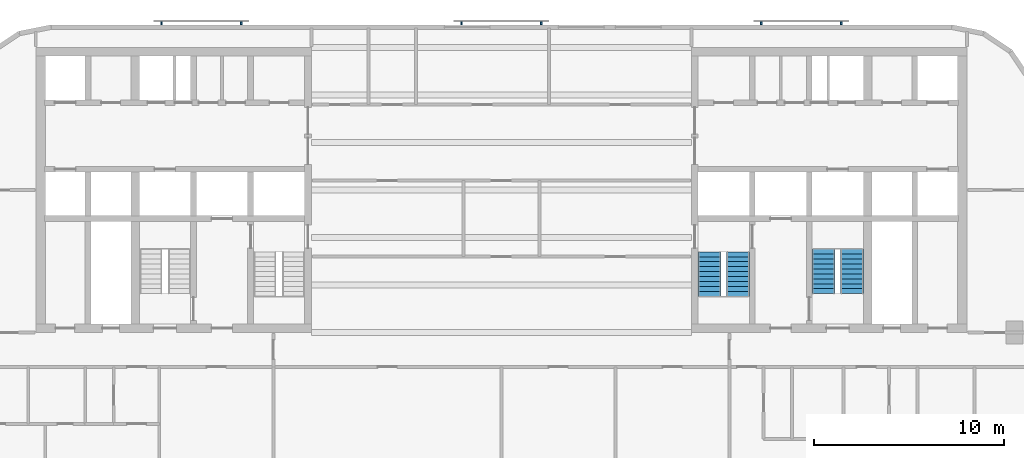
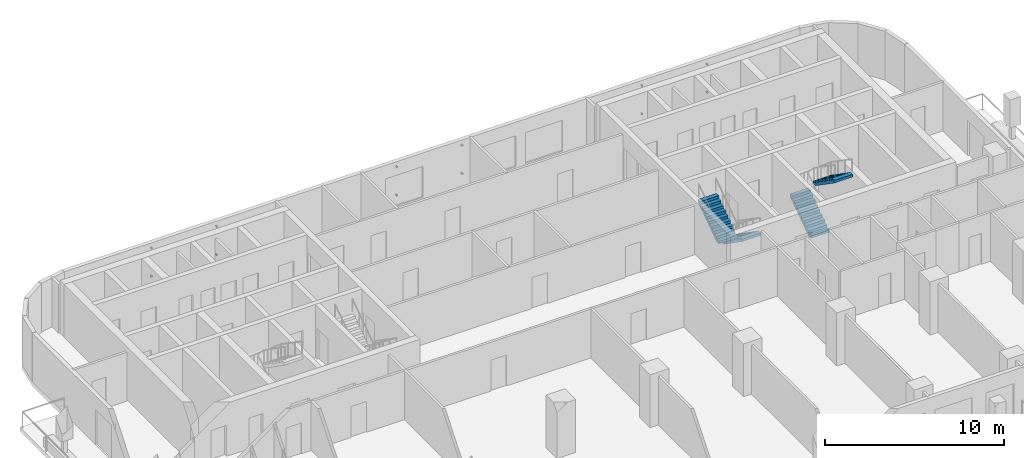
# One storey, part 8 of 11: 12 discrete accessories, 4 stair flights, 2 elements without a shape of their own.
"""IFC4 building model written with IfcOpenShell, lengths in metres."""

import ifcopenshell
import ifcopenshell.guid

model = None  # the IFC model being written
_history = None  # IfcOwnerHistory: only IFC2X3 demands one
_inside = {}  # id of a spatial element -> (the spatial element, [elements in it])
_under = {}  # id of a project, library or spatial element -> (it, [spatial elements below it])
_declared = {}  # id of a project -> (the project, [libraries it declares])
_typed = {}  # id of a type object -> (the type object, [elements of that type])
_made_of = {}  # id of a material, layer set ... -> (it, [elements and type objects made of it])


def new_model(schema):
    """Start an empty IFC model of exactly this schema.

    Asked for "IFC4X3", IfcOpenShell would pick the latest addendum, in which some entities
    have other attributes; the version numbers below select the first issue.
    IFC2X3 requires an IfcOwnerHistory on every rooted entity: one is made here for all.
    """
    global model, _history
    if schema == "IFC4X3":
        model = ifcopenshell.file(schema_version=(4, 3, 0, 0))
    else:
        model = ifcopenshell.file(schema=schema)
    _inside.clear()
    _under.clear()
    _declared.clear()
    _typed.clear()
    _made_of.clear()
    _history = None
    if model.schema == "IFC2X3":
        org = make("IfcOrganization", Name="unknown")
        user = make(
            "IfcPersonAndOrganization",
            ThePerson=make("IfcPerson", FamilyName="unknown"),
            TheOrganization=org,
        )
        app = make(
            "IfcApplication",
            ApplicationDeveloper=org,
            Version="unknown",
            ApplicationFullName="unknown",
            ApplicationIdentifier="unknown",
        )
        _history = make(
            "IfcOwnerHistory",
            OwningUser=user,
            OwningApplication=app,
            ChangeAction="ADDED",
            CreationDate=0,
        )
    return model


def make(cls, **values):
    """One entity of the class cls with the attributes given. An attribute that is None is left unset."""
    return model.create_entity(
        cls, **{name: value for name, value in values.items() if value is not None}
    )


def rooted(cls, **values):
    """An entity with a GlobalId (a new one), such as an element, a storey or a relation."""
    return make(cls, GlobalId=ifcopenshell.guid.new(), OwnerHistory=_history, **values)


def si_unit(unit_type, name, prefix=None):
    """IfcSIUnit, for example si_unit("LENGTHUNIT", "METRE", prefix="MILLI")."""
    return make("IfcSIUnit", UnitType=unit_type, Prefix=prefix, Name=name)


def assignment(units):
    """IfcUnitAssignment: the units of a project."""
    return None if units is None else make("IfcUnitAssignment", Units=units)


def point(xyz):
    """IfcCartesianPoint."""
    return None if xyz is None else make("IfcCartesianPoint", Coordinates=xyz)


def direction(xyz):
    """IfcDirection."""
    return None if xyz is None else make("IfcDirection", DirectionRatios=xyz)


def frame(location, z_axis=None, x_axis=None):
    """IfcAxis2Placement3D, a coordinate frame: its origin and axes. An axis left out is left unset."""
    return make(
        "IfcAxis2Placement3D",
        Location=point(location),
        Axis=direction(z_axis),
        RefDirection=direction(x_axis),
    )


def frame_2d(location, x_axis=None):
    """IfcAxis2Placement2D, a coordinate frame in the plane: its origin and x axis."""
    return make(
        "IfcAxis2Placement2D", Location=point(location), RefDirection=direction(x_axis)
    )


def origin():
    """The frame at (0, 0, 0) with its axes left unset."""
    return frame((0.0, 0.0, 0.0))


def origin_2d():
    """The frame at (0, 0) in the plane with its x axis left unset."""
    return frame_2d((0.0, 0.0))


def place(relative_to, where):
    """IfcLocalPlacement: puts the frame where relative to a parent placement (None: the world)."""
    return make(
        "IfcLocalPlacement", PlacementRelTo=relative_to, RelativePlacement=where
    )


def context(
    kind, dimensions, precision=None, world=None, true_north=None, identifier=None
):
    """IfcGeometricRepresentationContext, for example the 3D "Model" context."""
    return make(
        "IfcGeometricRepresentationContext",
        ContextIdentifier=identifier,
        ContextType=kind,
        CoordinateSpaceDimension=dimensions,
        Precision=precision,
        WorldCoordinateSystem=world,
        TrueNorth=true_north,
    )


def subcontext(parent, identifier, kind, view, scale=None):
    """IfcGeometricRepresentationSubContext, for example "Body" below "Model"."""
    return make(
        "IfcGeometricRepresentationSubContext",
        ContextIdentifier=identifier,
        ContextType=kind,
        ParentContext=parent,
        TargetScale=scale,
        TargetView=view,
    )


def project(units=None, contexts=None):
    """IfcProject with its units and contexts."""
    return rooted(
        "IfcProject",
        Name="project",
        RepresentationContexts=contexts,
        UnitsInContext=assignment(units),
    )


def spatial(cls, under=None, at=None, **own):
    """A site, building, storey or space (cls), placed at a placement, below another one or the project."""
    s = rooted(cls, ObjectPlacement=at, **own)
    if under is not None:
        _under.setdefault(under.id(), (under, []))[1].append(s)
    return s


def polyline(points):
    """IfcPolyline through the points."""
    return make("IfcPolyline", Points=[point(p) for p in points])


def profile(cls, at=None, kind="AREA", **sizes):
    """A parametric profile (cls). Its sizes go by their IFC names, for example OverallWidth=200.0."""
    return make(cls, ProfileType=kind, Position=at, **sizes)


def rectangle(**sizes):
    """IfcRectangleProfileDef."""
    return profile("IfcRectangleProfileDef", **sizes)


def outline(outer, holes=None, kind="AREA"):
    """IfcArbitraryClosedProfileDef: a profile drawn as a closed curve; with holes, ...WithVoids."""
    if holes is None:
        return make("IfcArbitraryClosedProfileDef", ProfileType=kind, OuterCurve=outer)
    return make(
        "IfcArbitraryProfileDefWithVoids",
        ProfileType=kind,
        OuterCurve=outer,
        InnerCurves=holes,
    )


def extrude(swept, where, along, depth):
    """IfcExtrudedAreaSolid: the profile swept, set in the frame where, extruded along a direction by depth."""
    return make(
        "IfcExtrudedAreaSolid",
        SweptArea=swept,
        Position=where,
        ExtrudedDirection=direction(along),
        Depth=depth,
    )


def shape(context_of_items, identifier, shape_type, items):
    """IfcShapeRepresentation: the items that make up one representation, for example the "Body"."""
    return make(
        "IfcShapeRepresentation",
        ContextOfItems=context_of_items,
        RepresentationIdentifier=identifier,
        RepresentationType=shape_type,
        Items=items,
    )


def material(Name=None, Category=None):
    """IfcMaterial."""
    return make("IfcMaterial", Name=Name, Category=Category)


def made_of(thing, what):
    """Note that an element or type object is made of a material, layer set ...; save() writes the relation."""
    if what is not None:
        _made_of.setdefault(what.id(), (what, []))[1].append(thing)
    return thing


def type_object(cls, material=None, **own):
    """A type object (cls), such as IfcWallType, which elements share."""
    return made_of(rooted(cls, **own), material)


def element(
    cls,
    number,
    at=None,
    inside=None,
    cuts=None,
    type_object=None,
    material=None,
    context=None,
    identifier="Body",
    shape_type=None,
    held_by="IfcProductDefinitionShape",
    body=None,
    shapes=None,
    **own,
):
    """One element of the class cls, such as IfcWall. Its Tag is "e" and its number.

    at: its placement. inside: the storey or other place that contains it. cuts: it is an
    opening in that element (IfcRelVoidsElement). A single representation is given by context,
    identifier, shape_type and body (its items); several are given by shapes. held_by: the class
    of the entity that holds the representations. save() writes the other relations.
    """
    e = rooted(cls, Tag="e%d" % number, ObjectPlacement=at, **own)
    if body is not None:
        shapes = [shape(context, identifier, shape_type, body)]
    if shapes is not None:
        e.Representation = make(held_by, Representations=shapes)
    if inside is not None:
        _inside.setdefault(inside.id(), (inside, []))[1].append(e)
    if cuts is not None:
        rooted(
            "IfcRelVoidsElement", RelatingBuildingElement=cuts, RelatedOpeningElement=e
        )
    if type_object is not None:
        _typed.setdefault(type_object.id(), (type_object, []))[1].append(e)
    return made_of(e, material)


def aggregate(whole, parts):
    """IfcRelAggregates: a whole, such as a stair, and the parts it consists of."""
    return rooted("IfcRelAggregates", RelatingObject=whole, RelatedObjects=parts)


def save(model, path):
    """Write the relations noted so far, then the file.

    IfcRelAggregates (storeys below a building ...), IfcRelContainedInSpatialStructure (elements
    in a storey), IfcRelDefinesByType, IfcRelAssociatesMaterial and IfcRelDeclares: one each for
    every whole, place, type object, material and project.
    """
    for whole, parts in _under.values():
        aggregate(whole, parts)
    for where, things in _inside.values():
        rooted(
            "IfcRelContainedInSpatialStructure",
            RelatedElements=things,
            RelatingStructure=where,
        )
    for kind, things in _typed.values():
        rooted("IfcRelDefinesByType", RelatedObjects=things, RelatingType=kind)
    for what, things in _made_of.values():
        rooted("IfcRelAssociatesMaterial", RelatedObjects=things, RelatingMaterial=what)
    for by, libraries in _declared.values():
        rooted("IfcRelDeclares", RelatingContext=by, RelatedDefinitions=libraries)
    model.write(path)


model = new_model("IFC4")

# Units and contexts
model_context = context("Model", 3, precision=1e-05, world=origin(), true_north=direction((0.0, 1.0)))
body_context = subcontext(model_context, "Body", "Model", "MODEL_VIEW")
ifc_project = project(units=[si_unit("LENGTHUNIT", "METRE"), si_unit("AREAUNIT", "SQUARE_METRE"), si_unit("VOLUMEUNIT", "CUBIC_METRE"), si_unit("PLANEANGLEUNIT", "RADIAN"), si_unit("MASSUNIT", "GRAM", prefix="KILO")], contexts=[model_context])

# Site, building, storey
site_placement = place(None, origin())
site = spatial("IfcSite", under=ifc_project, at=site_placement, CompositionType="ELEMENT")
building_placement = place(site_placement, origin())
building = spatial("IfcBuilding", under=site, at=building_placement, Name="Torana Hotel and Residences", CompositionType="ELEMENT")
storey_placement = place(building_placement, frame((0.0, 0.0, 120.0)))
storey = spatial("IfcBuildingStorey", under=building, at=storey_placement, Name="L30", CompositionType="ELEMENT", Elevation=120.0)

# Stair, stair flights
ifc_material_1 = material(Name="Concrete C40/50 precast", Category="concrete")
stair_type_1 = type_object("IfcStairType", Name="STAIR ST3 HALF TURN 1200", PredefinedType="HALF_TURN_STAIR", material=ifc_material_1)
stair_1_placement = place(storey_placement, origin())
stair_1 = element("IfcStair", 1, at=stair_1_placement, inside=storey, type_object=stair_type_1, Name="Stair ST3 L30", PredefinedType="HALF_TURN_STAIR")
ifc_material_2 = material(Name="Concrete C40/50 precast", Category="concrete")
stair_flight_type = type_object("IfcStairFlightType", Name="STAIR FLIGHT 1200 PRECAST", PredefinedType="STRAIGHT", material=ifc_material_2)
stair_flight_1_placement = place(storey_placement, frame((12.449951171875, -10.75, 0.0), z_axis=(0.0, 0.0, 1.0), x_axis=(0.0, -1.0, 0.0)))
stair_flight_1 = element("IfcStairFlight", 2, at=stair_flight_1_placement, type_object=stair_flight_type, Name="ST3 flight 1", NumberOfRisers=10, NumberOfTreads=9, PredefinedType="STRAIGHT", RiserHeight=0.18, TreadLength=0.26, context=body_context, shape_type="SweptSolid", body=[
    extrude(outline(polyline([(0.0, 0.0), (0.0, 0.179931640625), (0.260009765625, 0.179931640625), (0.260009765625, 0.360107421875), (0.52001953125, 0.360107421875), (0.52001953125, 0.5400390625), (0.780029296875, 0.5400390625), (0.780029296875, 0.719970703125), (1.0400390625, 0.719970703125), (1.0400390625, 0.89990234375), (1.300048828125, 0.89990234375), (1.300048828125, 1.080078125), (1.56005859375, 1.080078125), (1.56005859375, 1.260009765625), (1.820068359375, 1.260009765625), (1.820068359375, 1.43994140625), (2.080078125, 1.43994140625), (2.080078125, 1.6201171875), (2.340087890625, 1.6201171875), (2.340087890625, 1.800048828125), (2.340087890625, 1.437744140625), (0.263427734375, 0.0), (0.0, 0.0)])), frame((0.0, 0.60009765625, 0.0), z_axis=(0.0, -1.0, 0.0), x_axis=(1.0, 0.0, 0.0)), (0.0, 0.0, 1.0), 1.199951171875),
])
stair_flight_2_placement = place(storey_placement, frame((10.949951171875, -13.090087890625, 1.800048828125), z_axis=(0.0, 0.0, 1.0), x_axis=(0.0, 1.0, 0.0)))
stair_flight_2 = element("IfcStairFlight", 3, at=stair_flight_2_placement, type_object=stair_flight_type, Name="ST3 flight 2", NumberOfRisers=10, NumberOfTreads=9, PredefinedType="STRAIGHT", RiserHeight=0.18, TreadLength=0.26, context=body_context, shape_type="SweptSolid", body=[
    extrude(outline(polyline([(0.0, 0.0), (0.0, 0.179931640625), (0.260009765625, 0.179931640625), (0.260009765625, 0.360107421875), (0.52001953125, 0.360107421875), (0.52001953125, 0.5400390625), (0.780029296875, 0.5400390625), (0.780029296875, 0.719970703125), (1.0400390625, 0.719970703125), (1.0400390625, 0.89990234375), (1.300048828125, 0.89990234375), (1.300048828125, 1.080078125), (1.56005859375, 1.080078125), (1.56005859375, 1.260009765625), (1.820068359375, 1.260009765625), (1.820068359375, 1.43994140625), (2.080078125, 1.43994140625), (2.080078125, 1.6201171875), (2.340087890625, 1.6201171875), (2.340087890625, 1.800048828125), (2.340087890625, 1.437744140625), (0.263427734375, 0.0), (0.0, 0.0)])), frame((0.0, 0.60009765625, 0.0), z_axis=(0.0, -1.0, 0.0), x_axis=(1.0, 0.0, 0.0)), (0.0, 0.0, 1.0), 1.199951171875),
])
aggregate(stair_1, [stair_flight_1, stair_flight_2])

ifc_material_3 = material(Name="Concrete C40/50 precast", Category="concrete")
stair_type_2 = type_object("IfcStairType", Name="STAIR ST4 HALF TURN 1200", PredefinedType="HALF_TURN_STAIR", material=ifc_material_3)
stair_2_placement = place(storey_placement, origin())
stair_2 = element("IfcStair", 4, at=stair_2_placement, inside=storey, type_object=stair_type_2, Name="Stair ST4 L30", PredefinedType="HALF_TURN_STAIR")
stair_flight_3_placement = place(storey_placement, frame((16.949951171875, -12.949951171875, 0.0), z_axis=(0.0, 0.0, 1.0), x_axis=(0.0, 1.0, 0.0)))
stair_flight_3 = element("IfcStairFlight", 5, at=stair_flight_3_placement, type_object=stair_flight_type, Name="ST4 flight 1", NumberOfRisers=10, NumberOfTreads=9, PredefinedType="STRAIGHT", RiserHeight=0.18, TreadLength=0.26, context=body_context, shape_type="SweptSolid", body=[
    extrude(outline(polyline([(0.0, 0.0), (0.0, 0.179931640625), (0.260009765625, 0.179931640625), (0.260009765625, 0.360107421875), (0.52001953125, 0.360107421875), (0.52001953125, 0.5400390625), (0.780029296875, 0.5400390625), (0.780029296875, 0.719970703125), (1.0400390625, 0.719970703125), (1.0400390625, 0.89990234375), (1.300048828125, 0.89990234375), (1.300048828125, 1.080078125), (1.56005859375, 1.080078125), (1.56005859375, 1.260009765625), (1.820068359375, 1.260009765625), (1.820068359375, 1.43994140625), (2.080078125, 1.43994140625), (2.080078125, 1.6201171875), (2.340087890625, 1.6201171875), (2.340087890625, 1.800048828125), (2.340087890625, 1.437744140625), (0.263427734375, 0.0), (0.0, 0.0)])), frame((0.0, 0.60009765625, 0.0), z_axis=(0.0, -1.0, 0.0), x_axis=(1.0, 0.0, 0.0)), (0.0, 0.0, 1.0), 1.199951171875),
])
stair_flight_4_placement = place(storey_placement, frame((18.449951171875, -10.610107421875, 1.800048828125), z_axis=(0.0, 0.0, 1.0), x_axis=(0.0, -1.0, 0.0)))
stair_flight_4 = element("IfcStairFlight", 6, at=stair_flight_4_placement, type_object=stair_flight_type, Name="ST4 flight 2", NumberOfRisers=10, NumberOfTreads=9, PredefinedType="STRAIGHT", RiserHeight=0.18, TreadLength=0.26, context=body_context, shape_type="SweptSolid", body=[
    extrude(outline(polyline([(0.0, 0.0), (0.0, 0.179931640625), (0.260009765625, 0.179931640625), (0.260009765625, 0.360107421875), (0.52001953125, 0.360107421875), (0.52001953125, 0.5400390625), (0.780029296875, 0.5400390625), (0.780029296875, 0.719970703125), (1.0400390625, 0.719970703125), (1.0400390625, 0.89990234375), (1.300048828125, 0.89990234375), (1.300048828125, 1.080078125), (1.56005859375, 1.080078125), (1.56005859375, 1.260009765625), (1.820068359375, 1.260009765625), (1.820068359375, 1.43994140625), (2.080078125, 1.43994140625), (2.080078125, 1.6201171875), (2.340087890625, 1.6201171875), (2.340087890625, 1.800048828125), (2.340087890625, 1.437744140625), (0.263427734375, 0.0), (0.0, 0.0)])), frame((0.0, 0.60009765625, 0.0), z_axis=(0.0, -1.0, 0.0), x_axis=(1.0, 0.0, 0.0)), (0.0, 0.0, 1.0), 1.199951171875),
])
aggregate(stair_2, [stair_flight_3, stair_flight_4])

# Discrete accessories
ifc_material_4 = material(Name="Steel S355", Category="steel")
discrete_accessory_type = type_object("IfcDiscreteAccessoryType", Name="SCREEN BRACKET 100", PredefinedType="BRACKET", material=ifc_material_4)
for number, where, z_axis, x_axis, name in (
    (7, (17.883544921875, 1.27490234375, 0.75), (0.0, 0.0, 1.0), (-1.0, 0.0, 0.0), "Screen bracket L30"),
    (8, (17.883544921875, 1.27490234375, 2.669921875), (0.0, 0.0, 1.0), (-1.0, 0.0, 0.0), "Screen bracket L30"),
    (9, (13.68359375, 1.27490234375, 0.75), (0.0, 0.0, 1.0), (-1.0, 0.0, 0.0), "Screen bracket L30"),
    (10, (13.68359375, 1.27490234375, 2.669921875), (0.0, 0.0, 1.0), (-1.0, 0.0, 0.0), "Screen bracket L30"),
    (11, (2.10009765625, 1.27490234375, 0.75), (0.0, 0.0, 1.0), (-1.0, 0.0, 0.0), "Screen bracket L30"),
    (12, (2.10009765625, 1.27490234375, 2.669921875), (0.0, 0.0, 1.0), (-1.0, 0.0, 0.0), "Screen bracket L30"),
    (13, (-2.10009765625, 1.27490234375, 0.75), (0.0, 0.0, 1.0), (-1.0, 0.0, 0.0), "Screen bracket L30"),
    (14, (-2.10009765625, 1.27490234375, 2.669921875), (0.0, 0.0, 1.0), (-1.0, 0.0, 0.0), "Screen bracket L30"),
    (15, (-13.68359375, 1.27490234375, 0.75), (0.0, 0.0, 1.0), (-1.0, 0.0, 0.0), "Screen bracket L30"),
    (16, (-13.68359375, 1.27490234375, 2.669921875), (0.0, 0.0, 1.0), (-1.0, 0.0, 0.0), "Screen bracket L30"),
    (17, (-17.883544921875, 1.27490234375, 0.75), (0.0, 0.0, 1.0), (-1.0, 0.0, 0.0), "Screen bracket L30"),
    (18, (-17.883544921875, 1.27490234375, 2.669921875), (0.0, 0.0, 1.0), (-1.0, 0.0, 0.0), "Screen bracket L30"),
):
    element("IfcDiscreteAccessory", number, at=place(storey_placement, frame(where, z_axis=z_axis, x_axis=x_axis)), inside=storey, type_object=discrete_accessory_type, Name=name, PredefinedType="BRACKET", context=body_context, shape_type="SweptSolid", body=[
        extrude(rectangle(XDim=0.10009765625, YDim=0.14990234375, at=origin_2d()), origin(), (0.0, 0.0, 1.0), 0.10009765625),
    ])

save(model, "model.ifc")
